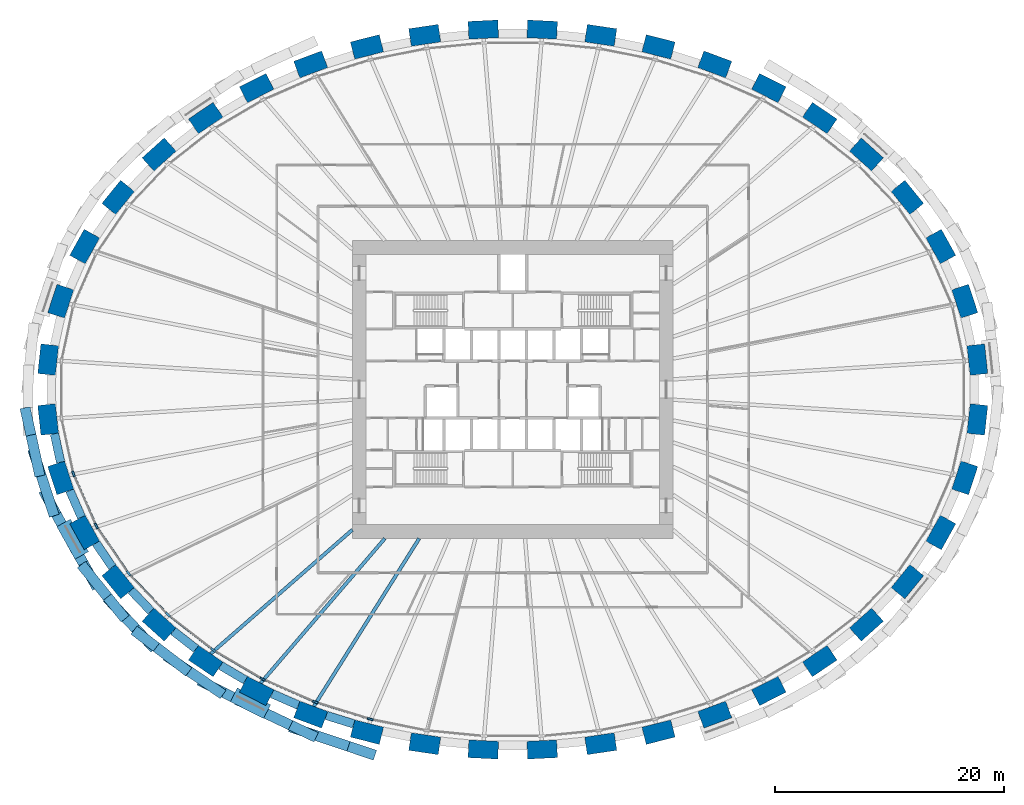
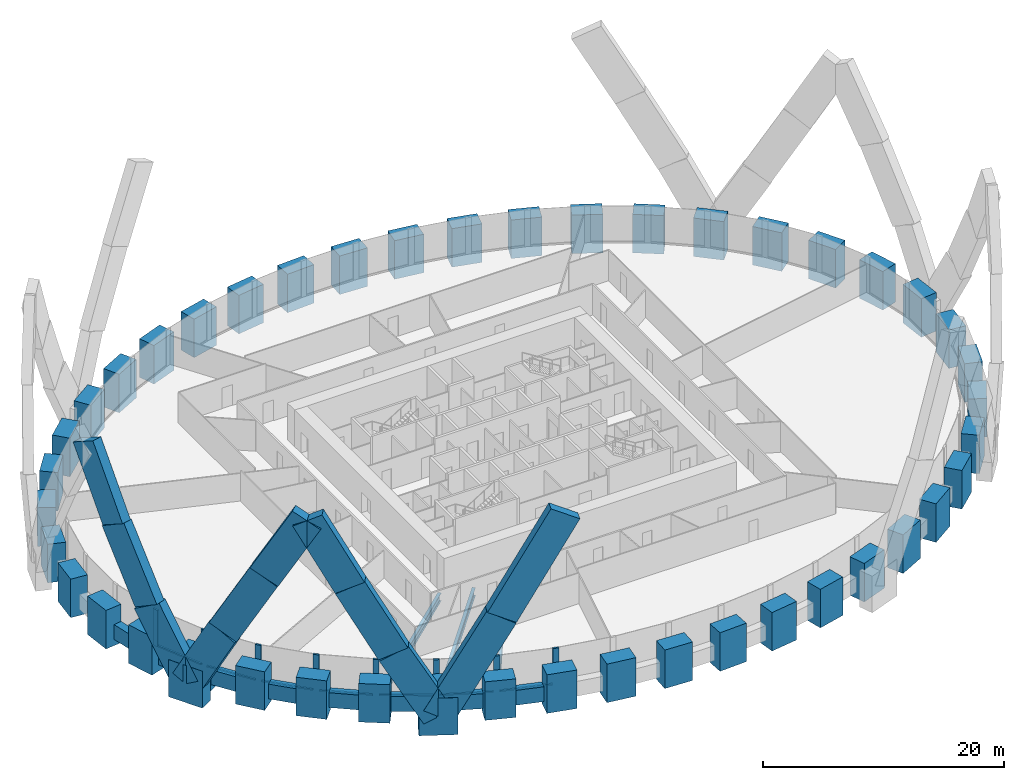
# One storey, part 1 of 12: 44 columns, 28 members, 11 beams, 1 element without a shape of its own.
"""IFC4 building model written with IfcOpenShell, lengths in metres."""

from ifc_helpers import new_model, si_unit, direction, frame, origin, origin_2d, place, context, subcontext, project, spatial, rectangle, i_section, extrude, source, transform, mapped, material, material_profile, profile_set, type_object, element, aggregate, save


model = new_model("IFC4")

# Units and contexts
model_context = context("Model", 3, precision=1e-05, world=origin(), true_north=direction((0.0, 1.0)))
body_context = subcontext(model_context, "Body", "Model", "MODEL_VIEW")
ifc_project = project(units=[si_unit("LENGTHUNIT", "METRE"), si_unit("AREAUNIT", "SQUARE_METRE"), si_unit("VOLUMEUNIT", "CUBIC_METRE"), si_unit("PLANEANGLEUNIT", "RADIAN"), si_unit("MASSUNIT", "GRAM", prefix="KILO")], contexts=[model_context])

# Site, building, storey
site_placement = place(None, origin())
site = spatial("IfcSite", under=ifc_project, at=site_placement, CompositionType="ELEMENT")
building_placement = place(site_placement, origin())
building = spatial("IfcBuilding", under=site, at=building_placement, Name="Embergate Tower", CompositionType="ELEMENT")
storey_placement = place(building_placement, frame((0.0, 0.0, 65.89990234375)))
storey = spatial("IfcBuildingStorey", under=building, at=storey_placement, Name="L12", CompositionType="ELEMENT", Elevation=65.89990234375)

# Columns
ifc_material_1 = material(Name="Concrete C70", Category="concrete")
ifc_material_profile_1 = material_profile(ifc_material_1, rectangle(XDim=1.550048828125, YDim=2.60009765625, at=origin_2d()), Name="RC 1550x2600")
ifc_profile_set_1 = profile_set([ifc_material_profile_1], Name="Concrete C70")
column_type = type_object("IfcColumnType", Name="Ring column RC 1550x2600 C70", PredefinedType="COLUMN", material=ifc_profile_set_1)
shared_shape_1 = source(origin(), body_context, "Body", "SweptSolid", [
    extrude(rectangle(XDim=1.550048828125, YDim=2.60009765625, at=origin_2d()), origin(), (0.0, 0.0, 1.0), 3.89990234375),
])
for number, where, z_axis, x_axis, name in (
    (1, (40.552001953125, 2.610107421875, -1.39990234375), (0.0, 0.0, 1.0), (0.99428589498, 0.106749983816, 0.0), "COL-L12-00"),
    (2, (39.455078125, 7.708984375, -1.39990234375), (0.0, 0.0, 1.0), (0.950754033697, 0.309946394413, 0.0), "COL-L12-01"),
    (3, (37.364013671875, 12.47705078125, -1.39990234375), (0.0, 0.0, 1.0), (0.873500465855, 0.486823311018, 0.0), "COL-L12-02"),
    (4, (34.445068359375, 16.77001953125, -1.39990234375), (0.0, 0.0, 1.0), (0.775925311702, 0.630824786022, 0.0), "COL-L12-03"),
    (5, (30.87109375, 20.51806640625, -1.39990234375), (0.0, 0.0, 1.0), (0.669221393633, 0.743063070206, 0.0), "COL-L12-04"),
    (6, (26.798095703125, 23.697998046875, -1.39990234375), (0.0, 0.0, 1.0), (0.560407734638, 0.828216862275, 0.0), "COL-L12-05"),
    (7, (22.35205078125, 26.31201171875, -1.39990234375), (0.0, 0.0, 1.0), (0.453010512651, 0.891505174089, 0.0), "COL-L12-06"),
    (8, (17.634033203125, 28.375, -1.39990234375), (0.0, 0.0, 1.0), (0.348343015724, 0.93736713373, 0.0), "COL-L12-07"),
    (9, (12.721923828125, 29.905029296875, -1.39990234375), (0.0, 0.0, 1.0), (0.24650851817, 0.969140624713, 0.0), "COL-L12-08"),
    (10, (7.681884765625, 30.916015625, -1.39990234375), (0.0, 0.0, 1.0), (0.146929011949, 0.989147039346, 0.0), "COL-L12-09"),
    (11, (2.569091796875, 31.41796875, -1.39990234375), (0.0, 0.0, 1.0), (0.048814904854, 0.998807841912, 0.0), "COL-L12-10"),
    (12, (-2.569091796875, 31.41796875, -1.39990234375), (0.0, 0.0, 1.0), (-0.048814904854, 0.998807841912, 0.0), "COL-L12-11"),
    (13, (-7.681884765625, 30.916015625, -1.39990234375), (0.0, 0.0, 1.0), (-0.146929011949, 0.989147039346, 0.0), "COL-L12-12"),
    (14, (-12.721923828125, 29.905029296875, -1.39990234375), (0.0, 0.0, 1.0), (-0.24650851817, 0.969140624713, 0.0), "COL-L12-13"),
    (15, (-17.634033203125, 28.375, -1.39990234375), (0.0, 0.0, 1.0), (-0.348343015724, 0.93736713373, 0.0), "COL-L12-14"),
    (16, (-22.35205078125, 26.31201171875, -1.39990234375), (0.0, 0.0, 1.0), (-0.453010512651, 0.891505174089, 0.0), "COL-L12-15"),
    (17, (-26.798095703125, 23.697998046875, -1.39990234375), (0.0, 0.0, 1.0), (-0.560407734638, 0.828216862275, 0.0), "COL-L12-16"),
    (18, (-30.87109375, 20.51806640625, -1.39990234375), (0.0, 0.0, 1.0), (-0.669221393633, 0.743063070206, 0.0), "COL-L12-17"),
    (19, (-34.445068359375, 16.77001953125, -1.39990234375), (0.0, 0.0, 1.0), (-0.775925311702, 0.630824786022, 0.0), "COL-L12-18"),
    (20, (-37.364013671875, 12.47705078125, -1.39990234375), (0.0, 0.0, 1.0), (-0.873500465855, 0.486823311018, 0.0), "COL-L12-19"),
    (21, (-39.455078125, 7.708984375, -1.39990234375), (0.0, 0.0, 1.0), (-0.950754033697, 0.309946394413, 0.0), "COL-L12-20"),
    (22, (-40.552001953125, 2.610107421875, -1.39990234375), (0.0, 0.0, 1.0), (-0.99428589498, 0.106749983816, 0.0), "COL-L12-21"),
    (23, (-40.552001953125, -2.610107421875, -1.39990234375), (0.0, 0.0, 1.0), (-0.99428589498, -0.106749983816, 0.0), "COL-L12-22"),
    (24, (-39.455078125, -7.708984375, -1.39990234375), (0.0, 0.0, 1.0), (-0.950754033697, -0.309946394413, 0.0), "COL-L12-23"),
    (25, (-37.364013671875, -12.47705078125, -1.39990234375), (0.0, 0.0, 1.0), (-0.873500465855, -0.486823311018, 0.0), "COL-L12-24"),
    (26, (-34.445068359375, -16.77001953125, -1.39990234375), (0.0, 0.0, 1.0), (-0.775925311702, -0.630824786022, 0.0), "COL-L12-25"),
    (27, (-30.87109375, -20.51806640625, -1.39990234375), (0.0, 0.0, 1.0), (-0.669221393633, -0.743063070206, 0.0), "COL-L12-26"),
    (28, (-26.798095703125, -23.697998046875, -1.39990234375), (0.0, 0.0, 1.0), (-0.560407734638, -0.828216862275, 0.0), "COL-L12-27"),
    (29, (-22.35205078125, -26.31201171875, -1.39990234375), (0.0, 0.0, 1.0), (-0.453010512651, -0.891505174089, 0.0), "COL-L12-28"),
    (30, (-17.634033203125, -28.375, -1.39990234375), (0.0, 0.0, 1.0), (-0.348343015724, -0.93736713373, 0.0), "COL-L12-29"),
    (31, (-12.721923828125, -29.905029296875, -1.39990234375), (0.0, 0.0, 1.0), (-0.24650851817, -0.969140624713, 0.0), "COL-L12-30"),
    (32, (-7.681884765625, -30.916015625, -1.39990234375), (0.0, 0.0, 1.0), (-0.146929011949, -0.989147039346, 0.0), "COL-L12-31"),
    (33, (-2.569091796875, -31.41796875, -1.39990234375), (0.0, 0.0, 1.0), (-0.048814904854, -0.998807841912, 0.0), "COL-L12-32"),
    (34, (2.569091796875, -31.41796875, -1.39990234375), (0.0, 0.0, 1.0), (0.048814904854, -0.998807841912, 0.0), "COL-L12-33"),
    (35, (7.681884765625, -30.916015625, -1.39990234375), (0.0, 0.0, 1.0), (0.146929011949, -0.989147039346, 0.0), "COL-L12-34"),
    (36, (12.721923828125, -29.905029296875, -1.39990234375), (0.0, 0.0, 1.0), (0.24650851817, -0.969140624713, 0.0), "COL-L12-35"),
    (37, (17.634033203125, -28.375, -1.39990234375), (0.0, 0.0, 1.0), (0.348343015724, -0.93736713373, 0.0), "COL-L12-36"),
    (38, (22.35205078125, -26.31201171875, -1.39990234375), (0.0, 0.0, 1.0), (0.453010512651, -0.891505174089, 0.0), "COL-L12-37"),
    (39, (26.798095703125, -23.697998046875, -1.39990234375), (0.0, 0.0, 1.0), (0.560407734638, -0.828216862275, 0.0), "COL-L12-38"),
    (40, (30.87109375, -20.51806640625, -1.39990234375), (0.0, 0.0, 1.0), (0.669221393633, -0.743063070206, 0.0), "COL-L12-39"),
    (41, (34.445068359375, -16.77001953125, -1.39990234375), (0.0, 0.0, 1.0), (0.775925311702, -0.630824786022, 0.0), "COL-L12-40"),
    (42, (37.364013671875, -12.47705078125, -1.39990234375), (0.0, 0.0, 1.0), (0.873500465855, -0.486823311018, 0.0), "COL-L12-41"),
    (43, (39.455078125, -7.708984375, -1.39990234375), (0.0, 0.0, 1.0), (0.950754033697, -0.309946394413, 0.0), "COL-L12-42"),
    (44, (40.552001953125, -2.610107421875, -1.39990234375), (0.0, 0.0, 1.0), (0.99428589498, -0.106749983816, 0.0), "COL-L12-43"),
):
    element("IfcColumn", number, at=place(storey_placement, frame(where, z_axis=z_axis, x_axis=x_axis)), inside=storey, type_object=column_type, Name=name, PredefinedType="COLUMN", context=body_context, shape_type="MappedRepresentation", body=[
        mapped(shared_shape_1, transform((0.0, 0.0, 0.0))),
    ])

# Beams
ifc_material_profile_2 = material_profile(ifc_material_1, rectangle(XDim=0.75, YDim=1.5, at=origin_2d()), Name="RC 750x1500")
ifc_profile_set_2 = profile_set([ifc_material_profile_2], Name="Concrete C70")
beam_type_1 = type_object("IfcBeamType", Name="Spandrel beam RC 750x1500 C70", PredefinedType="BEAM", material=ifc_profile_set_2)
shared_shape_2 = source(origin(), body_context, "Body", "SweptSolid", [
    extrude(rectangle(XDim=0.75, YDim=1.5, at=origin_2d()), origin(), (0.0, 0.0, 1.0), 2.5439453125),
])
beam_1_placement = place(storey_placement, frame((-40.0009765625, -3.85791015625, 0.0), z_axis=(0.210269633901, -0.977643432474, 0.0), x_axis=(0.977643432474, 0.210269633901, 0.0)))
element("IfcBeam", 45, at=beam_1_placement, inside=storey, type_object=beam_type_1, Name="SPN-L12-22", PredefinedType="BEAM", context=body_context, shape_type="MappedRepresentation", body=[
    mapped(shared_shape_2, transform((0.0, 0.0, 0.0))),
])
shared_shape_3 = source(origin(), body_context, "Body", "SweptSolid", [
    extrude(rectangle(XDim=0.75, YDim=1.5, at=origin_2d()), origin(), (0.0, 0.0, 1.0), 2.540771484375),
])
beam_2_placement = place(storey_placement, frame((-38.666015625, -8.819091796875, 0.0), z_axis=(0.401479097778, -0.915868185956, 0.0), x_axis=(0.915868185956, 0.401479097778, 0.0)))
element("IfcBeam", 46, at=beam_2_placement, inside=storey, type_object=beam_type_1, Name="SPN-L12-23", PredefinedType="BEAM", context=body_context, shape_type="MappedRepresentation", body=[
    mapped(shared_shape_3, transform((0.0, 0.0, 0.0))),
])
shared_shape_4 = source(origin(), body_context, "Body", "SweptSolid", [
    extrude(rectangle(XDim=0.75, YDim=1.5, at=origin_2d()), origin(), (0.0, 0.0, 1.0), 2.5302734375),
])
beam_3_placement = place(storey_placement, frame((-36.3701171875, -13.410888671875, 0.0), z_axis=(0.562447254988, -0.82683316658, 0.0), x_axis=(0.82683316658, 0.562447254988, 0.0)))
element("IfcBeam", 47, at=beam_3_placement, inside=storey, type_object=beam_type_1, Name="SPN-L12-24", PredefinedType="BEAM", context=body_context, shape_type="MappedRepresentation", body=[
    mapped(shared_shape_4, transform((0.0, 0.0, 0.0))),
])
shared_shape_5 = source(origin(), body_context, "Body", "SweptSolid", [
    extrude(rectangle(XDim=0.75, YDim=1.5, at=origin_2d()), origin(), (0.0, 0.0, 1.0), 2.525146484375),
])
beam_4_placement = place(storey_placement, frame((-33.31298828125, -17.52490234375, 0.0), z_axis=(0.689836216716, -0.723965464719, 0.0), x_axis=(0.723965464719, 0.689836216716, 0.0)))
element("IfcBeam", 48, at=beam_4_placement, inside=storey, type_object=beam_type_1, Name="SPN-L12-25", PredefinedType="BEAM", context=body_context, shape_type="MappedRepresentation", body=[
    mapped(shared_shape_5, transform((0.0, 0.0, 0.0))),
])
shared_shape_6 = source(origin(), body_context, "Body", "SweptSolid", [
    extrude(rectangle(XDim=0.75, YDim=1.5, at=origin_2d()), origin(), (0.0, 0.0, 1.0), 2.51708984375),
])
beam_5_placement = place(storey_placement, frame((-29.6298828125, -21.0830078125, 0.0), z_axis=(0.788186103863, -0.615436971328, 0.0), x_axis=(0.615436971328, 0.788186103863, 0.0)))
element("IfcBeam", 49, at=beam_5_placement, inside=storey, type_object=beam_type_1, Name="SPN-L12-26", PredefinedType="BEAM", context=body_context, shape_type="MappedRepresentation", body=[
    mapped(shared_shape_6, transform((0.0, 0.0, 0.0))),
])
shared_shape_7 = source(origin(), body_context, "Body", "SweptSolid", [
    extrude(rectangle(XDim=0.75, YDim=1.5, at=origin_2d()), origin(), (0.0, 0.0, 1.0), 2.512451171875),
])
beam_6_placement = place(storey_placement, frame((-25.49609375, -24.093994140625, 0.0), z_axis=(0.862138987282, -0.506671852986, 0.0), x_axis=(0.506671852986, 0.862138987282, 0.0)))
element("IfcBeam", 50, at=beam_6_placement, inside=storey, type_object=beam_type_1, Name="SPN-L12-27", PredefinedType="BEAM", context=body_context, shape_type="MappedRepresentation", body=[
    mapped(shared_shape_7, transform((0.0, 0.0, 0.0))),
])
shared_shape_8 = source(origin(), body_context, "Body", "SweptSolid", [
    extrude(rectangle(XDim=0.75, YDim=1.5, at=origin_2d()), origin(), (0.0, 0.0, 1.0), 2.508056640625),
])
beam_7_placement = place(storey_placement, frame((-21.013916015625, -26.549072265625, 0.0), z_axis=(0.916219880472, -0.400675842331, 0.0), x_axis=(0.400675842331, 0.916219880472, 0.0)))
element("IfcBeam", 51, at=beam_7_placement, inside=storey, type_object=beam_type_1, Name="SPN-L12-28", PredefinedType="BEAM", context=body_context, shape_type="MappedRepresentation", body=[
    mapped(shared_shape_8, transform((0.0, 0.0, 0.0))),
])
shared_shape_9 = source(origin(), body_context, "Body", "SweptSolid", [
    extrude(rectangle(XDim=0.75, YDim=1.5, at=origin_2d()), origin(), (0.0, 0.0, 1.0), 2.505126953125),
])
beam_8_placement = place(storey_placement, frame((-16.27294921875, -28.444091796875, 0.0), z_axis=(0.95477257779, -0.297337055715, 0.0), x_axis=(0.297337055715, 0.95477257779, 0.0)))
element("IfcBeam", 52, at=beam_8_placement, inside=storey, type_object=beam_type_1, Name="SPN-L12-29", PredefinedType="BEAM", context=body_context, shape_type="MappedRepresentation", body=[
    mapped(shared_shape_9, transform((0.0, 0.0, 0.0))),
])
ifc_material_2 = material(Name="Steel Q355B", Category="steel")
ifc_material_profile_3 = material_profile(ifc_material_2, i_section(OverallWidth=0.300048828125, OverallDepth=0.800048828125, WebThickness=0.013916015625, FlangeThickness=0.02587890625, FilletRadius=0.028076171875, at=origin_2d()), Name="HN 800x300x14x26")
ifc_profile_set_3 = profile_set([ifc_material_profile_3], Name="Steel Q355 grade B")
beam_type_2 = type_object("IfcBeamType", Name="Radial girder HN 800x300x14x26", PredefinedType="BEAM", material=ifc_profile_set_3)
shared_shape_10 = source(origin(), body_context, "Body", "SweptSolid", [
    extrude(i_section(OverallWidth=0.300048828125, OverallDepth=0.800048828125, WebThickness=0.013916015625, FlangeThickness=0.02587890625, FilletRadius=0.028076171875, at=origin_2d()), origin(), (0.0, 0.0, 1.0), 16.424560546875),
])
beam_9_placement = place(storey_placement, frame((-26.364013671875, -23.055908203125, -0.599853515625), z_axis=(0.752772791173, 0.658280430265, 0.0), x_axis=(-0.658280430265, 0.752772791173, 0.0)))
element("IfcBeam", 53, at=beam_9_placement, inside=storey, type_object=beam_type_2, Name="GIR-L12-27", PredefinedType="BEAM", context=body_context, shape_type="MappedRepresentation", body=[
    mapped(shared_shape_10, transform((0.0, 0.0, 0.0))),
])
shared_shape_11 = source(origin(), body_context, "Body", "SweptSolid", [
    extrude(i_section(OverallWidth=0.300048828125, OverallDepth=0.800048828125, WebThickness=0.013916015625, FlangeThickness=0.02587890625, FilletRadius=0.028076171875, at=origin_2d()), origin(), (0.0, 0.0, 1.0), 16.6357421875),
])
beam_10_placement = place(storey_placement, frame((-22.0009765625, -25.62109375, -0.599853515625), z_axis=(0.651477578484, 0.758667888297, 0.0), x_axis=(-0.758667888297, 0.651477578484, 0.0)))
element("IfcBeam", 54, at=beam_10_placement, inside=storey, type_object=beam_type_2, Name="GIR-L12-28", PredefinedType="BEAM", context=body_context, shape_type="MappedRepresentation", body=[
    mapped(shared_shape_11, transform((0.0, 0.0, 0.0))),
])
shared_shape_12 = source(origin(), body_context, "Body", "SweptSolid", [
    extrude(i_section(OverallWidth=0.300048828125, OverallDepth=0.800048828125, WebThickness=0.013916015625, FlangeThickness=0.02587890625, FilletRadius=0.028076171875, at=origin_2d()), origin(), (0.0, 0.0, 1.0), 17.29833984375),
])
beam_11_placement = place(storey_placement, frame((-17.364013671875, -27.64892578125, -0.599853515625), z_axis=(0.53184228431, 0.84684342391, 0.0), x_axis=(-0.84684342391, 0.53184228431, 0.0)))
element("IfcBeam", 55, at=beam_11_placement, inside=storey, type_object=beam_type_2, Name="GIR-L12-29", PredefinedType="BEAM", context=body_context, shape_type="MappedRepresentation", body=[
    mapped(shared_shape_12, transform((0.0, 0.0, 0.0))),
])

# Members
ifc_material_profile_4 = material_profile(ifc_material_1, rectangle(XDim=1.35009765625, YDim=3.25, at=origin_2d()), Name="RC 1350x3250")
ifc_profile_set_4 = profile_set([ifc_material_profile_4], Name="Concrete C70")
member_type_1 = type_object("IfcMemberType", Name="Lattice node block RC 1350x3250", PredefinedType="POST", material=ifc_profile_set_4)
shared_shape_13 = source(origin(), body_context, "Body", "SweptSolid", [
    extrude(rectangle(XDim=1.35009765625, YDim=3.25, at=origin_2d()), origin(), (0.0, 0.0, 1.0), 3.75),
])
for number, where, z_axis, x_axis, name in (
    (56, (-38.4130859375, -13.06103515625, -1.875), (0.0, 0.0, 1.0), (-0.873500465855, -0.486823311018, 0.0), "NOD-L12-24"),
    (57, (-22.89599609375, -27.382080078125, -1.875), (0.0, 0.0, 1.0), (-0.453010512651, -0.891505174089, 0.0), "NOD-L12-28"),
):
    element("IfcMember", number, at=place(storey_placement, frame(where, z_axis=z_axis, x_axis=x_axis)), inside=storey, type_object=member_type_1, Name=name, PredefinedType="POST", context=body_context, shape_type="MappedRepresentation", body=[
        mapped(shared_shape_13, transform((0.0, 0.0, 0.0))),
    ])
ifc_material_profile_5 = material_profile(ifc_material_1, rectangle(XDim=0.89990234375, YDim=2.800048828125, at=origin_2d()), Name="RC 900x2800")
ifc_profile_set_5 = profile_set([ifc_material_profile_5], Name="Concrete C70")
member_type_2 = type_object("IfcMemberType", Name="Lattice diagonal terracotta-faced RC 900x2800", PredefinedType="BRACE", material=ifc_profile_set_5)
shared_shape_14 = source(origin(), body_context, "Body", "SweptSolid", [
    extrude(rectangle(XDim=0.89990234375, YDim=2.800048828125, at=origin_2d()), origin(), (0.0, 0.0, 1.0), 7.468505859375),
])
member_1_placement = place(storey_placement, frame((-40.40087890625, -9.860107421875, 6.5), z_axis=(-0.151448665847, 0.468631140424, 0.870314975074), x_axis=(-0.951543952558, -0.307512774289, 0.0)))
element("IfcMember", 58, at=member_1_placement, inside=storey, type_object=member_type_2, Name="BRC-L12-24-22-S01", PredefinedType="BRACE", context=body_context, shape_type="MappedRepresentation", body=[
    mapped(shared_shape_14, transform((0.0, 0.0, 0.0))),
])
shared_shape_15 = source(origin(), body_context, "Body", "SweptSolid", [
    extrude(rectangle(XDim=0.89990234375, YDim=2.800048828125, at=origin_2d()), origin(), (0.0, 0.0, 1.0), 7.445556640625),
])
member_2_placement = place(storey_placement, frame((-36.884033203125, -16.23291015625, 6.5), z_axis=(0.306362416394, -0.379452625764, 0.873016480155), x_axis=(0.778059988779, 0.628189982299, 0.0)))
element("IfcMember", 59, at=member_2_placement, inside=storey, type_object=member_type_2, Name="BRC-L12-24-26-S01", PredefinedType="BRACE", context=body_context, shape_type="MappedRepresentation", body=[
    mapped(shared_shape_15, transform((0.0, 0.0, 0.0))),
])
shared_shape_16 = source(origin(), body_context, "Body", "SweptSolid", [
    extrude(rectangle(XDim=0.89990234375, YDim=2.800048828125, at=origin_2d()), origin(), (0.0, 0.0, 1.0), 7.42333984375),
])
member_3_placement = place(storey_placement, frame((-26.294921875, -25.923095703125, 6.5), z_axis=(-0.399425988527, 0.271589939337, 0.875612805149), x_axis=(-0.562282085072, -0.826945498087, 0.0)))
element("IfcMember", 60, at=member_3_placement, inside=storey, type_object=member_type_2, Name="BRC-L12-28-26-S01", PredefinedType="BRACE", context=body_context, shape_type="MappedRepresentation", body=[
    mapped(shared_shape_16, transform((0.0, 0.0, 0.0))),
])
shared_shape_17 = source(origin(), body_context, "Body", "SweptSolid", [
    extrude(rectangle(XDim=0.89990234375, YDim=2.800048828125, at=origin_2d()), origin(), (0.0, 0.0, 1.0), 7.510986328125),
])
member_4_placement = place(storey_placement, frame((-38.60888671875, -13.169921875, 0.0), z_axis=(-0.238580284452, 0.440658435465, 0.865389849215), x_axis=(-0.879383632837, -0.476113879548, 0.0)))
element("IfcMember", 61, at=member_4_placement, inside=storey, type_object=member_type_2, Name="BRC-L12-24-22-S00", PredefinedType="BRACE", context=body_context, shape_type="MappedRepresentation", body=[
    mapped(shared_shape_17, transform((0.0, 0.0, 0.0))),
])
shared_shape_18 = source(origin(), body_context, "Body", "SweptSolid", [
    extrude(rectangle(XDim=0.89990234375, YDim=2.800048828125, at=origin_2d()), origin(), (0.0, 0.0, 1.0), 7.459716796875),
])
member_5_placement = place(storey_placement, frame((-41.531982421875, -6.360107421875, 13.0), z_axis=(-0.104435983212, 0.479404037007, 0.87135807491), x_axis=(-0.977084162375, -0.212853328928, 0.0)))
element("IfcMember", 62, at=member_5_placement, inside=storey, type_object=member_type_2, Name="BRC-L12-24-22-S02", PredefinedType="BRACE", context=body_context, shape_type="MappedRepresentation", body=[
    mapped(shared_shape_18, transform((0.0, 0.0, 0.0))),
])
shared_shape_19 = source(origin(), body_context, "Body", "SweptSolid", [
    extrude(rectangle(XDim=0.89990234375, YDim=2.800048828125, at=origin_2d()), origin(), (0.0, 0.0, 1.0), 7.3896484375),
])
member_6_placement = place(storey_placement, frame((-38.60888671875, -13.169921875, 0.0), z_axis=(0.233414586394, -0.414496730488, 0.87960791906), x_axis=(0.871341733968, 0.490676657938, 0.0)))
element("IfcMember", 63, at=member_6_placement, inside=storey, type_object=member_type_2, Name="BRC-L12-24-26-S00", PredefinedType="BRACE", context=body_context, shape_type="MappedRepresentation", body=[
    mapped(shared_shape_19, transform((0.0, 0.0, 0.0))),
])
shared_shape_20 = source(origin(), body_context, "Body", "SweptSolid", [
    extrude(rectangle(XDim=0.89990234375, YDim=2.800048828125, at=origin_2d()), origin(), (0.0, 0.0, 1.0), 7.4716796875),
])
member_7_placement = place(storey_placement, frame((-34.60302734375, -19.05810546875, 13.0), z_axis=(0.33701342357, -0.360016860665, 0.869948166485), x_axis=(0.730045312289, 0.683398743052, 0.0)))
element("IfcMember", 64, at=member_7_placement, inside=storey, type_object=member_type_2, Name="BRC-L12-24-26-S02", PredefinedType="BRACE", context=body_context, shape_type="MappedRepresentation", body=[
    mapped(shared_shape_20, transform((0.0, 0.0, 0.0))),
])
shared_shape_21 = source(origin(), body_context, "Body", "SweptSolid", [
    extrude(rectangle(XDim=0.89990234375, YDim=2.800048828125, at=origin_2d()), origin(), (0.0, 0.0, 1.0), 7.474609375),
])
member_8_placement = place(storey_placement, frame((-22.998046875, -27.58203125, 0.0), z_axis=(-0.441069982727, 0.221939464798, 0.869597691063), x_axis=(-0.449487700319, -0.893286520251, 0.0)))
element("IfcMember", 65, at=member_8_placement, inside=storey, type_object=member_type_2, Name="BRC-L12-28-26-S00", PredefinedType="BRACE", context=body_context, shape_type="MappedRepresentation", body=[
    mapped(shared_shape_21, transform((0.0, 0.0, 0.0))),
])
shared_shape_22 = source(origin(), body_context, "Body", "SweptSolid", [
    extrude(rectangle(XDim=0.89990234375, YDim=2.800048828125, at=origin_2d()), origin(), (0.0, 0.0, 1.0), 7.408935546875),
])
member_9_placement = place(storey_placement, frame((-29.260009765625, -23.906982421875, 13.0), z_axis=(-0.381293131802, 0.291398769728, 0.877326794667), x_axis=(-0.607215596377, -0.79453711022, 0.0)))
element("IfcMember", 66, at=member_9_placement, inside=storey, type_object=member_type_2, Name="BRC-L12-28-26-S02", PredefinedType="BRACE", context=body_context, shape_type="MappedRepresentation", body=[
    mapped(shared_shape_22, transform((0.0, 0.0, 0.0))),
])
shared_shape_23 = source(origin(), body_context, "Body", "SweptSolid", [
    extrude(rectangle(XDim=0.89990234375, YDim=2.800048828125, at=origin_2d()), origin(), (0.0, 0.0, 1.0), 11.064453125),
])
member_10_placement = place(storey_placement, frame((-22.998046875, -27.58203125, 0.0), z_axis=(0.426879393747, -0.20309097178, 0.881208284332), x_axis=(0.429614666303, 0.903012313591, 0.0)))
element("IfcMember", 67, at=member_10_placement, inside=storey, type_object=member_type_2, Name="BRC-L12-28-30-S00", PredefinedType="BRACE", context=body_context, shape_type="MappedRepresentation", body=[
    mapped(shared_shape_23, transform((0.0, 0.0, 0.0))),
])
shared_shape_24 = source(origin(), body_context, "Body", "SweptSolid", [
    extrude(rectangle(XDim=0.89990234375, YDim=2.800048828125, at=origin_2d()), origin(), (0.0, 0.0, 1.0), 11.132080078125),
])
member_11_placement = place(storey_placement, frame((-18.27490234375, -29.8291015625, 9.75), z_axis=(0.457599847309, -0.153235089056, 0.875854661017), x_axis=(0.317536330992, 0.948246106504, 0.0)))
element("IfcMember", 68, at=member_11_placement, inside=storey, type_object=member_type_2, Name="BRC-L12-28-30-S01", PredefinedType="BRACE", context=body_context, shape_type="MappedRepresentation", body=[
    mapped(shared_shape_24, transform((0.0, 0.0, 0.0))),
])

# Curtain wall, members
ifc_material_3 = material(Name="Aluminium and glass", Category="aluminium")
curtain_wall_type = type_object("IfcCurtainWallType", Name="Recessed office glazing", PredefinedType="NOTDEFINED", material=ifc_material_3)
curtain_wall_placement = place(storey_placement, origin())
curtain_wall = element("IfcCurtainWall", 69, at=curtain_wall_placement, inside=storey, type_object=curtain_wall_type, Name="Recessed office glazing ring", ObjectType="RECESSED OFFICE GLAZING", PredefinedType="USERDEFINED")
ifc_material_4 = material(Name="Aluminium, thermally broken", Category="aluminium")
ifc_material_profile_6 = material_profile(ifc_material_4, rectangle(XDim=0.179931640625, YDim=0.52001953125, at=origin_2d()), Name="AL 520x180")
ifc_profile_set_6 = profile_set([ifc_material_profile_6], Name="Aluminium, thermally broken")
member_type_3 = type_object("IfcMemberType", Name="Office mullion", PredefinedType="MULLION", material=ifc_profile_set_6)
shared_shape_25 = source(origin(), body_context, "Body", "SweptSolid", [
    extrude(rectangle(XDim=0.179931640625, YDim=0.52001953125, at=origin_2d()), origin(), (0.0, 0.0, 1.0), 3.7001953125),
])
member_12_placement = place(storey_placement, frame((-38.347412109375, -7.347900390625, 0.0), z_axis=(0.0, 0.0, 1.0), x_axis=(0.951502093582, 0.307642269381, 0.0)))
member_12 = element("IfcMember", 70, at=member_12_placement, type_object=member_type_3, Name="CW mullion 24", PredefinedType="MULLION", context=body_context, shape_type="MappedRepresentation", body=[
    mapped(shared_shape_25, transform((0.0, 0.0, 0.0))),
])
member_13_placement = place(storey_placement, frame((-36.3466796875, -11.909423828125, 0.0), z_axis=(0.0, 0.0, 1.0), x_axis=(0.875010345178, 0.48410422001, 0.0)))
member_13 = element("IfcMember", 71, at=member_13_placement, type_object=member_type_3, Name="CW mullion 25", PredefinedType="MULLION", context=body_context, shape_type="MappedRepresentation", body=[
    mapped(shared_shape_25, transform((0.0, 0.0, 0.0))),
])
member_14_placement = place(storey_placement, frame((-33.541015625, -16.035400390625, 0.0), z_axis=(0.0, 0.0, 1.0), x_axis=(0.777883532271, 0.628408474022, 0.0)))
member_14 = element("IfcMember", 72, at=member_14_placement, type_object=member_type_3, Name="CW mullion 26", PredefinedType="MULLION", context=body_context, shape_type="MappedRepresentation", body=[
    mapped(shared_shape_25, transform((0.0, 0.0, 0.0))),
])
member_15_placement = place(storey_placement, frame((-30.09130859375, -19.65283203125, 0.0), z_axis=(0.0, 0.0, 1.0), x_axis=(0.671239471147, 0.741240563093, 0.0)))
member_15 = element("IfcMember", 73, at=member_15_placement, type_object=member_type_3, Name="CW mullion 27", PredefinedType="MULLION", context=body_context, shape_type="MappedRepresentation", body=[
    mapped(shared_shape_25, transform((0.0, 0.0, 0.0))),
])
member_16_placement = place(storey_placement, frame((-26.14501953125, -22.73291015625, 0.0), z_axis=(0.0, 0.0, 1.0), x_axis=(0.562229165438, 0.826981478348, 0.0)))
member_16 = element("IfcMember", 74, at=member_16_placement, type_object=member_type_3, Name="CW mullion 28", PredefinedType="MULLION", context=body_context, shape_type="MappedRepresentation", body=[
    mapped(shared_shape_25, transform((0.0, 0.0, 0.0))),
])
member_17_placement = place(storey_placement, frame((-21.824462890625, -25.273193359375, 0.0), z_axis=(0.0, 0.0, 1.0), x_axis=(0.454520708319, 0.890736170653, 0.0)))
member_17 = element("IfcMember", 75, at=member_17_placement, type_object=member_type_3, Name="CW mullion 29", PredefinedType="MULLION", context=body_context, shape_type="MappedRepresentation", body=[
    mapped(shared_shape_25, transform((0.0, 0.0, 0.0))),
])
member_18_placement = place(storey_placement, frame((-17.22802734375, -27.282958984375, 0.0), z_axis=(0.0, 0.0, 1.0), x_axis=(0.349510859141, 0.936932313106, 0.0)))
member_18 = element("IfcMember", 76, at=member_18_placement, type_object=member_type_3, Name="CW mullion 30", PredefinedType="MULLION", context=body_context, shape_type="MappedRepresentation", body=[
    mapped(shared_shape_25, transform((0.0, 0.0, 0.0))),
])
member_19_placement = place(storey_placement, frame((-12.435302734375, -28.775634765625, 0.0), z_axis=(0.0, 0.0, 1.0), x_axis=(0.247318645812, 0.968934201808, 0.0)))
member_19 = element("IfcMember", 77, at=member_19_placement, type_object=member_type_3, Name="CW mullion 31", PredefinedType="MULLION", context=body_context, shape_type="MappedRepresentation", body=[
    mapped(shared_shape_25, transform((0.0, 0.0, 0.0))),
])
ifc_material_profile_7 = material_profile(ifc_material_4, rectangle(XDim=0.179931640625, YDim=0.14990234375, at=origin_2d()), Name="AL 150x180")
ifc_profile_set_7 = profile_set([ifc_material_profile_7], Name="Aluminium, thermally broken")
member_type_4 = type_object("IfcMemberType", Name="Office sill transom", PredefinedType="USERDEFINED", material=ifc_profile_set_7)
shared_shape_26 = source(origin(), body_context, "Body", "SweptSolid", [
    extrude(rectangle(XDim=0.179931640625, YDim=0.14990234375, at=origin_2d()), origin(), (0.0, 0.0, 1.0), 4.460693359375),
])
member_20_placement = place(storey_placement, frame((-38.242919921875, -7.586181640625, 0.0751953125), z_axis=(0.401613983085, -0.915809045921, 0.0), x_axis=(0.915809045921, 0.401613983085, 0.0)))
member_20 = element("IfcMember", 78, at=member_20_placement, type_object=member_type_4, Name="CW transom 24.1", ObjectType="TRANSOM", PredefinedType="USERDEFINED", context=body_context, shape_type="MappedRepresentation", body=[
    mapped(shared_shape_26, transform((0.0, 0.0, 0.0))),
])
shared_shape_27 = source(origin(), body_context, "Body", "SweptSolid", [
    extrude(rectangle(XDim=0.179931640625, YDim=0.14990234375, at=origin_2d()), origin(), (0.0, 0.0, 1.0), 4.4697265625),
])
member_21_placement = place(storey_placement, frame((-36.20068359375, -12.12451171875, 0.0751953125), z_axis=(0.562327949545, -0.826914310652, 0.0), x_axis=(0.826914310652, 0.562327949545, 0.0)))
member_21 = element("IfcMember", 79, at=member_21_placement, type_object=member_type_4, Name="CW transom 25.1", ObjectType="TRANSOM", PredefinedType="USERDEFINED", context=body_context, shape_type="MappedRepresentation", body=[
    mapped(shared_shape_27, transform((0.0, 0.0, 0.0))),
])
shared_shape_28 = source(origin(), body_context, "Body", "SweptSolid", [
    extrude(rectangle(XDim=0.179931640625, YDim=0.14990234375, at=origin_2d()), origin(), (0.0, 0.0, 1.0), 4.478515625),
])
member_22_placement = place(storey_placement, frame((-33.361572265625, -16.2236328125, 0.0751953125), z_axis=(0.690145055563, -0.723671059447, 0.0), x_axis=(0.723671059447, 0.690145055563, 0.0)))
member_22 = element("IfcMember", 80, at=member_22_placement, type_object=member_type_4, Name="CW transom 26.1", ObjectType="TRANSOM", PredefinedType="USERDEFINED", context=body_context, shape_type="MappedRepresentation", body=[
    mapped(shared_shape_28, transform((0.0, 0.0, 0.0))),
])
shared_shape_29 = source(origin(), body_context, "Body", "SweptSolid", [
    extrude(rectangle(XDim=0.179931640625, YDim=0.14990234375, at=origin_2d()), origin(), (0.0, 0.0, 1.0), 4.486083984375),
])
member_23_placement = place(storey_placement, frame((-29.886474609375, -19.812744140625, 0.0751953125), z_axis=(0.78829904423, -0.615292301972, 0.0), x_axis=(0.615292301972, 0.78829904423, 0.0)))
member_23 = element("IfcMember", 81, at=member_23_placement, type_object=member_type_4, Name="CW transom 27.1", ObjectType="TRANSOM", PredefinedType="USERDEFINED", context=body_context, shape_type="MappedRepresentation", body=[
    mapped(shared_shape_29, transform((0.0, 0.0, 0.0))),
])
shared_shape_30 = source(origin(), body_context, "Body", "SweptSolid", [
    extrude(rectangle(XDim=0.179931640625, YDim=0.14990234375, at=origin_2d()), origin(), (0.0, 0.0, 1.0), 4.491943359375),
])
member_24_placement = place(storey_placement, frame((-25.9208984375, -22.86474609375, 0.0751953125), z_axis=(0.8620529522, -0.506818219486, 0.0), x_axis=(0.506818219486, 0.8620529522, 0.0)))
member_24 = element("IfcMember", 82, at=member_24_placement, type_object=member_type_4, Name="CW transom 28.1", ObjectType="TRANSOM", PredefinedType="USERDEFINED", context=body_context, shape_type="MappedRepresentation", body=[
    mapped(shared_shape_30, transform((0.0, 0.0, 0.0))),
])
shared_shape_31 = source(origin(), body_context, "Body", "SweptSolid", [
    extrude(rectangle(XDim=0.179931640625, YDim=0.14990234375, at=origin_2d()), origin(), (0.0, 0.0, 1.0), 4.49658203125),
])
member_25_placement = place(storey_placement, frame((-21.586181640625, -25.377197265625, 0.0751953125), z_axis=(0.9162134002, -0.400690660354, 0.0), x_axis=(0.400690660354, 0.9162134002, 0.0)))
member_25 = element("IfcMember", 83, at=member_25_placement, type_object=member_type_4, Name="CW transom 29.1", ObjectType="TRANSOM", PredefinedType="USERDEFINED", context=body_context, shape_type="MappedRepresentation", body=[
    mapped(shared_shape_31, transform((0.0, 0.0, 0.0))),
])
shared_shape_32 = source(origin(), body_context, "Body", "SweptSolid", [
    extrude(rectangle(XDim=0.179931640625, YDim=0.14990234375, at=origin_2d()), origin(), (0.0, 0.0, 1.0), 4.5),
])
member_26_placement = place(storey_placement, frame((-16.97998046875, -27.3603515625, 0.0751953125), z_axis=(0.954763366225, -0.297366633156, 0.0), x_axis=(0.297366633156, 0.954763366225, 0.0)))
member_26 = element("IfcMember", 84, at=member_26_placement, type_object=member_type_4, Name="CW transom 30.1", ObjectType="TRANSOM", PredefinedType="USERDEFINED", context=body_context, shape_type="MappedRepresentation", body=[
    mapped(shared_shape_32, transform((0.0, 0.0, 0.0))),
])
aggregate(curtain_wall, [member_12, member_13, member_14, member_15, member_16, member_17, member_18, member_19, member_20, member_21, member_22, member_23, member_24, member_25, member_26])

save(model, "model.ifc")
